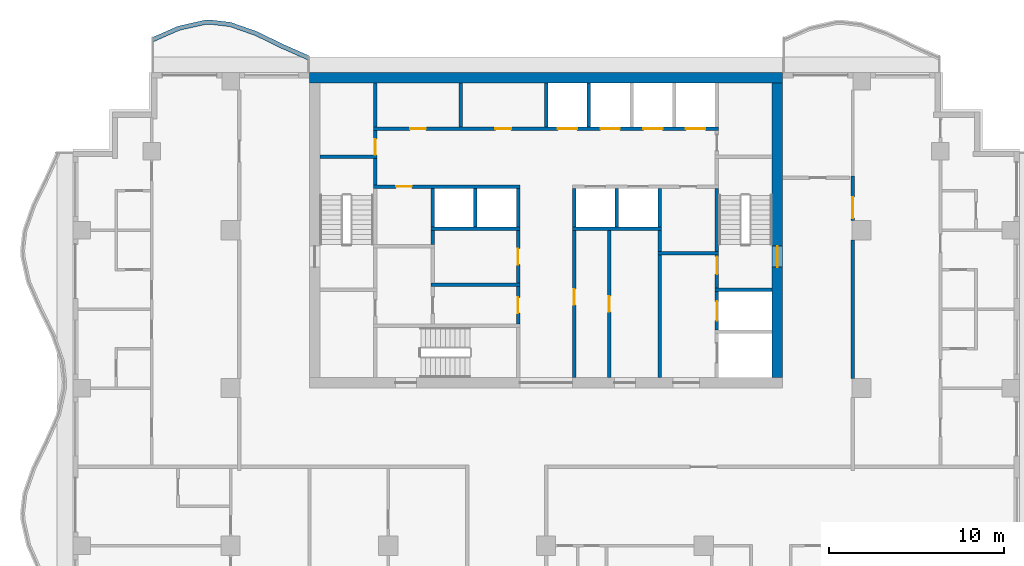
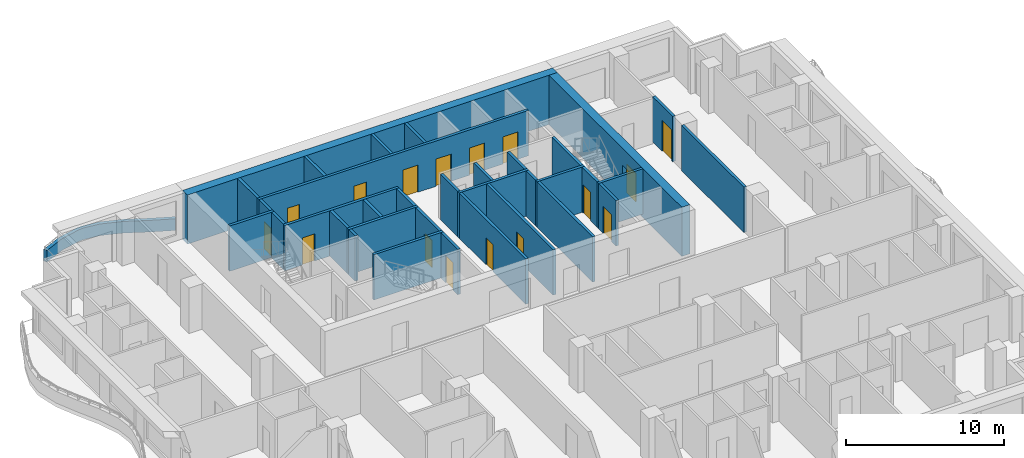
# One storey, part 6 of 12: 35 walls, 16 doors, 16 openings.
"""IFC4 building model written with IfcOpenShell, lengths in metres."""

from ifc_helpers import new_model, si_unit, direction, frame, frame_2d, origin, place, context, subcontext, project, spatial, polyline, rectangle, outline, extrude, material, layer, layer_set, type_object, element, fill, save


model = new_model("IFC4")

# Units and contexts
model_context = context("Model", 3, precision=1e-05, world=origin(), true_north=direction((0.0, 1.0)))
body_context = subcontext(model_context, "Body", "Model", "MODEL_VIEW")
ifc_project = project(units=[si_unit("LENGTHUNIT", "METRE"), si_unit("AREAUNIT", "SQUARE_METRE"), si_unit("VOLUMEUNIT", "CUBIC_METRE"), si_unit("PLANEANGLEUNIT", "RADIAN"), si_unit("MASSUNIT", "GRAM", prefix="KILO")], contexts=[model_context])

# Site, building, storey
site_placement = place(None, origin())
site = spatial("IfcSite", under=ifc_project, at=site_placement, CompositionType="ELEMENT")
building_placement = place(site_placement, origin())
building = spatial("IfcBuilding", under=site, at=building_placement, Name="Orbiselva Terraces", CompositionType="ELEMENT")
storey_placement = place(building_placement, frame((0.0, 0.0, 207.2)))
storey = spatial("IfcBuildingStorey", under=building, at=storey_placement, Name="L52", CompositionType="ELEMENT", Elevation=207.2)

# Wall, opening, door
ifc_material_1 = material(Name="Concrete C80/95", Category="concrete")
ifc_layer_1 = layer(ifc_material_1, 0.6)
ifc_layer_set_1 = layer_set([ifc_layer_1], Name="Concrete C80/95")
wall_type_1 = type_object("IfcWallType", Name="CORE WALL 600", PredefinedType="SHEAR", material=ifc_layer_set_1)
wall_1_placement = place(storey_placement, frame((13.2, 5.1, -0.3), z_axis=(0.0, 0.0, 1.0), x_axis=(0.0, 1.0, 0.0)))
wall_1 = element("IfcWall", 1, at=wall_1_placement, inside=storey, type_object=wall_type_1, Name="Core wall L52 east", PredefinedType="SHEAR", context=body_context, shape_type="SweptSolid", body=[
    extrude(rectangle(XDim=16.8, YDim=0.6, at=frame_2d((8.4, 0.0))), origin(), (0.0, 0.0, 1.0), 3.8),
])
opening_1_placement = place(wall_1_placement, frame((6.3, 0.0, 0.3)))
opening_1 = element("IfcOpeningElement", 2, at=opening_1_placement, cuts=wall_1, Name="Opening DS1200", PredefinedType="OPENING", context=body_context, shape_type="SweptSolid", body=[
    extrude(rectangle(XDim=1.2, YDim=2.2, at=frame_2d((0.6, 1.1))), frame((0.0, 0.31, 0.0), z_axis=(0.0, -1.0, 0.0), x_axis=(1.0, 0.0, 0.0)), (0.0, 0.0, 1.0), 0.62),
])
ifc_material_2 = material(Name="Steel fire door", Category="steel")
door_type_1 = type_object("IfcDoorType", Name="STAIR DOOR 1200", OperationType="NOTDEFINED", PredefinedType="DOOR", material=ifc_material_2)
door_1_placement = place(opening_1_placement, frame((1.2, 0.0, 0.0), z_axis=(0.0, 0.0, 1.0), x_axis=(-1.0, 0.0, 0.0)))
door_1 = element("IfcDoor", 3, at=door_1_placement, inside=storey, type_object=door_type_1, Name="L52 EXIT STAIR S2 door", OperationType="SINGLE_SWING_LEFT", OverallHeight=2.2, OverallWidth=1.2, PredefinedType="DOOR", context=body_context, shape_type="SweptSolid", body=[
    extrude(rectangle(XDim=1.2, YDim=2.2, at=frame_2d((0.6, 1.1))), frame((0.0, 0.025, 0.0), z_axis=(0.0, -1.0, 0.0), x_axis=(1.0, 0.0, 0.0)), (0.0, 0.0, 1.0), 0.05),
])
fill(opening_1, door_1)

# Wall
ifc_layer_2 = layer(ifc_material_1, 0.6)
ifc_layer_set_2 = layer_set([ifc_layer_2], Name="Concrete C80/95")
wall_type_2 = type_object("IfcWallType", Name="CORE WALL 600 EXTERNAL", PredefinedType="SHEAR", material=ifc_layer_set_2)
wall_2_placement = place(storey_placement, frame((13.5, 22.2, -0.3), z_axis=(0.0, 0.0, 1.0), x_axis=(-1.0, 0.0, 0.0)))
element("IfcWall", 4, at=wall_2_placement, inside=storey, type_object=wall_type_2, Name="Core wall L52 north", PredefinedType="SHEAR", context=body_context, shape_type="SweptSolid", body=[
    extrude(rectangle(XDim=27.0, YDim=0.6, at=frame_2d((13.5, 0.0))), origin(), (0.0, 0.0, 1.0), 3.8),
])

# Wall, opening, door
ifc_material_3 = material(Name="Masonry blockwork", Category="masonry")
ifc_layer_3 = layer(ifc_material_3, 0.2)
ifc_layer_set_3 = layer_set([ifc_layer_3], Name="Masonry blockwork")
wall_type_3 = type_object("IfcWallType", Name="CORE-WALL-PARTITION-200", PredefinedType="PARTITIONING", material=ifc_layer_set_3)
wall_3_placement = place(storey_placement, frame((-9.75, 17.8, 0.0), z_axis=(0.0, 0.0, 1.0), x_axis=(0.0, 1.0, 0.0)))
wall_3 = element("IfcWall", 5, at=wall_3_placement, inside=storey, type_object=wall_type_3, Name="L52 core wall 11", PredefinedType="PARTITIONING", context=body_context, shape_type="SweptSolid", body=[
    extrude(rectangle(XDim=1.4, YDim=0.2, at=frame_2d((0.7, 0.0))), origin(), (0.0, 0.0, 1.0), 3.5),
])
opening_2_placement = place(wall_3_placement, origin())
opening_2 = element("IfcOpeningElement", 6, at=opening_2_placement, cuts=wall_3, Name="Opening DR900", PredefinedType="OPENING", context=body_context, shape_type="SweptSolid", body=[
    extrude(rectangle(XDim=0.9, YDim=2.1, at=frame_2d((0.45, 1.05))), frame((0.0, 0.11, 0.0), z_axis=(0.0, -1.0, 0.0), x_axis=(1.0, 0.0, 0.0)), (0.0, 0.0, 1.0), 0.22),
])
door_type_2 = type_object("IfcDoorType", Name="ROOM DOOR 900", OperationType="NOTDEFINED", PredefinedType="DOOR", material=ifc_material_2)
door_2_placement = place(opening_2_placement, origin())
door_2 = element("IfcDoor", 7, at=door_2_placement, inside=storey, type_object=door_type_2, Name="L52 ELECTRICAL RISER ROOM door", OperationType="SINGLE_SWING_LEFT", OverallHeight=2.1, OverallWidth=0.9, PredefinedType="DOOR", context=body_context, shape_type="SweptSolid", body=[
    extrude(rectangle(XDim=0.9, YDim=2.1, at=frame_2d((0.45, 1.05))), frame((0.0, 0.025, 0.0), z_axis=(0.0, -1.0, 0.0), x_axis=(1.0, 0.0, 0.0)), (0.0, 0.0, 1.0), 0.05),
])
fill(opening_2, door_2)

# Walls
wall_4_placement = place(storey_placement, frame((-9.75, 19.4, 0.0), z_axis=(0.0, 0.0, 1.0), x_axis=(0.0, 1.0, 0.0)))
element("IfcWall", 8, at=wall_4_placement, inside=storey, type_object=wall_type_3, Name="L52 core wall 13", PredefinedType="PARTITIONING", context=body_context, shape_type="SweptSolid", body=[
    extrude(rectangle(XDim=2.5, YDim=0.2, at=frame_2d((1.25, 0.0))), origin(), (0.0, 0.0, 1.0), 3.5),
])
wall_5_placement = place(storey_placement, frame((-6.475, 12.7, 0.0), z_axis=(0.0, 0.0, 1.0), x_axis=(0.0, 1.0, 0.0)))
element("IfcWall", 9, at=wall_5_placement, inside=storey, type_object=wall_type_3, Name="L52 core wall 17", PredefinedType="PARTITIONING", context=body_context, shape_type="SweptSolid", body=[
    extrude(rectangle(XDim=0.8, YDim=0.2, at=frame_2d((0.4, 0.0))), origin(), (0.0, 0.0, 1.0), 3.5),
])
wall_6_placement = place(storey_placement, frame((-4.875, 19.4, 0.0), z_axis=(0.0, 0.0, 1.0), x_axis=(0.0, 1.0, 0.0)))
element("IfcWall", 10, at=wall_6_placement, inside=storey, type_object=wall_type_3, Name="L52 core wall 20", PredefinedType="PARTITIONING", context=body_context, shape_type="SweptSolid", body=[
    extrude(rectangle(XDim=2.5, YDim=0.2, at=frame_2d((1.25, 0.0))), origin(), (0.0, 0.0, 1.0), 3.5),
])

# Wall, opening, door
wall_7_placement = place(storey_placement, frame((-1.6, 8.15, 0.0), z_axis=(0.0, 0.0, 1.0), x_axis=(0.0, 1.0, 0.0)))
wall_7 = element("IfcWall", 11, at=wall_7_placement, inside=storey, type_object=wall_type_3, Name="L52 core wall 23", PredefinedType="PARTITIONING", context=body_context, shape_type="SweptSolid", body=[
    extrude(rectangle(XDim=2.15, YDim=0.2, at=frame_2d((1.075, 0.0))), origin(), (0.0, 0.0, 1.0), 3.5),
])
opening_3_placement = place(wall_7_placement, frame((0.625, 0.0, 0.0)))
opening_3 = element("IfcOpeningElement", 12, at=opening_3_placement, cuts=wall_7, Name="Opening DR900", PredefinedType="OPENING", context=body_context, shape_type="SweptSolid", body=[
    extrude(rectangle(XDim=0.9, YDim=2.1, at=frame_2d((0.45, 1.05))), frame((0.0, 0.11, 0.0), z_axis=(0.0, -1.0, 0.0), x_axis=(1.0, 0.0, 0.0)), (0.0, 0.0, 1.0), 0.22),
])
door_3_placement = place(opening_3_placement, origin())
door_3 = element("IfcDoor", 13, at=door_3_placement, inside=storey, type_object=door_type_2, Name="L52 SERVICE PANTRY door", OperationType="SINGLE_SWING_LEFT", OverallHeight=2.1, OverallWidth=0.9, PredefinedType="DOOR", context=body_context, shape_type="SweptSolid", body=[
    extrude(rectangle(XDim=0.9, YDim=2.1, at=frame_2d((0.45, 1.05))), frame((0.0, 0.025, 0.0), z_axis=(0.0, -1.0, 0.0), x_axis=(1.0, 0.0, 0.0)), (0.0, 0.0, 1.0), 0.05),
])
fill(opening_3, door_3)

wall_8_placement = place(storey_placement, frame((-1.6, 10.5, 0.0), z_axis=(0.0, 0.0, 1.0), x_axis=(0.0, 1.0, 0.0)))
wall_8 = element("IfcWall", 14, at=wall_8_placement, inside=storey, type_object=wall_type_3, Name="L52 core wall 24", PredefinedType="PARTITIONING", context=body_context, shape_type="SweptSolid", body=[
    extrude(rectangle(XDim=3.0, YDim=0.2, at=frame_2d((1.5, 0.0))), origin(), (0.0, 0.0, 1.0), 3.5),
])
opening_4_placement = place(wall_8_placement, frame((1.05, 0.0, 0.0)))
opening_4 = element("IfcOpeningElement", 15, at=opening_4_placement, cuts=wall_8, Name="Opening DR900", PredefinedType="OPENING", context=body_context, shape_type="SweptSolid", body=[
    extrude(rectangle(XDim=0.9, YDim=2.1, at=frame_2d((0.45, 1.05))), frame((0.0, 0.11, 0.0), z_axis=(0.0, -1.0, 0.0), x_axis=(1.0, 0.0, 0.0)), (0.0, 0.0, 1.0), 0.22),
])
door_4_placement = place(opening_4_placement, origin())
door_4 = element("IfcDoor", 16, at=door_4_placement, inside=storey, type_object=door_type_2, Name="L52 LINEN STORE door", OperationType="SINGLE_SWING_RIGHT", OverallHeight=2.1, OverallWidth=0.9, PredefinedType="DOOR", context=body_context, shape_type="SweptSolid", body=[
    extrude(rectangle(XDim=0.9, YDim=2.1, at=frame_2d((0.45, 1.05))), frame((0.0, 0.025, 0.0), z_axis=(0.0, -1.0, 0.0), x_axis=(1.0, 0.0, 0.0)), (0.0, 0.0, 1.0), 0.05),
])
fill(opening_4, door_4)

wall_9_placement = place(storey_placement, frame((3.6, 13.5, 0.0), z_axis=(0.0, 0.0, 1.0), x_axis=(0.0, -1.0, 0.0)))
wall_9 = element("IfcWall", 17, at=wall_9_placement, inside=storey, type_object=wall_type_3, Name="L52 core wall 32", PredefinedType="PARTITIONING", context=body_context, shape_type="SweptSolid", body=[
    extrude(rectangle(XDim=8.4, YDim=0.2, at=frame_2d((4.2, 0.0))), origin(), (0.0, 0.0, 1.0), 3.5),
])
opening_5_placement = place(wall_9_placement, frame((3.75, 0.0, 0.0)))
opening_5 = element("IfcOpeningElement", 18, at=opening_5_placement, cuts=wall_9, Name="Opening DR900", PredefinedType="OPENING", context=body_context, shape_type="SweptSolid", body=[
    extrude(rectangle(XDim=0.9, YDim=2.1, at=frame_2d((0.45, 1.05))), frame((0.0, 0.11, 0.0), z_axis=(0.0, -1.0, 0.0), x_axis=(1.0, 0.0, 0.0)), (0.0, 0.0, 1.0), 0.22),
])
door_5_placement = place(opening_5_placement, origin())
door_5 = element("IfcDoor", 19, at=door_5_placement, inside=storey, type_object=door_type_2, Name="L52 SERVICE ROOM door", OperationType="SINGLE_SWING_RIGHT", OverallHeight=2.1, OverallWidth=0.9, PredefinedType="DOOR", context=body_context, shape_type="SweptSolid", body=[
    extrude(rectangle(XDim=0.9, YDim=2.1, at=frame_2d((0.45, 1.05))), frame((0.0, 0.025, 0.0), z_axis=(0.0, -1.0, 0.0), x_axis=(1.0, 0.0, 0.0)), (0.0, 0.0, 1.0), 0.05),
])
fill(opening_5, door_5)

# Walls
wall_10_placement = place(storey_placement, frame((6.475, 12.3, 0.0), z_axis=(0.0, 0.0, 1.0), x_axis=(0.0, 1.0, 0.0)))
element("IfcWall", 20, at=wall_10_placement, inside=storey, type_object=wall_type_3, Name="L52 core wall 37", PredefinedType="PARTITIONING", context=body_context, shape_type="SweptSolid", body=[
    extrude(rectangle(XDim=1.2, YDim=0.2, at=frame_2d((0.6, 0.0))), origin(), (0.0, 0.0, 1.0), 3.5),
])
ifc_material_4 = material(Name="Concrete C40/50", Category="concrete")
ifc_layer_4 = layer(ifc_material_4, 0.2)
ifc_layer_set_4 = layer_set([ifc_layer_4], Name="Concrete C40/50")
wall_type_4 = type_object("IfcWallType", Name="CORE-WALL-SHAFT-200", PredefinedType="PARTITIONING", material=ifc_layer_set_4)
for number, where, z_axis, x_axis, name in (
    (21, (-6.475, 13.7, 0.0), (0.0, 0.0, 1.0), (0.0, 1.0, 0.0), "L52 core wall 19"),
    (22, (-4.0375, 13.7, 0.0), (0.0, 0.0, 1.0), (0.0, 1.0, 0.0), "L52 core wall 21"),
    (23, (-1.6, 13.7, 0.0), (0.0, 0.0, 1.0), (0.0, 1.0, 0.0), "L52 core wall 25"),
):
    element("IfcWall", number, at=place(storey_placement, frame(where, z_axis=z_axis, x_axis=x_axis)), inside=storey, type_object=wall_type_4, Name=name, PredefinedType="PARTITIONING", context=body_context, shape_type="SweptSolid", body=[
        extrude(rectangle(XDim=2.2, YDim=0.2, at=frame_2d((1.1, 0.0))), origin(), (0.0, 0.0, 1.0), 3.5),
    ])
wall_11_placement = place(storey_placement, frame((0.0, 19.4, 0.0), z_axis=(0.0, 0.0, 1.0), x_axis=(0.0, 1.0, 0.0)))
element("IfcWall", 24, at=wall_11_placement, inside=storey, type_object=wall_type_4, Name="L52 core wall 26", PredefinedType="PARTITIONING", context=body_context, shape_type="SweptSolid", body=[
    extrude(rectangle(XDim=2.5, YDim=0.2, at=frame_2d((1.25, 0.0))), origin(), (0.0, 0.0, 1.0), 3.5),
])
wall_12_placement = place(storey_placement, frame((1.6, 13.7, 0.0), z_axis=(0.0, 0.0, 1.0), x_axis=(0.0, 1.0, 0.0)))
element("IfcWall", 25, at=wall_12_placement, inside=storey, type_object=wall_type_4, Name="L52 core wall 29", PredefinedType="PARTITIONING", context=body_context, shape_type="SweptSolid", body=[
    extrude(rectangle(XDim=2.2, YDim=0.2, at=frame_2d((1.1, 0.0))), origin(), (0.0, 0.0, 1.0), 3.5),
])
wall_13_placement = place(storey_placement, frame((2.4375, 19.4, 0.0), z_axis=(0.0, 0.0, 1.0), x_axis=(0.0, 1.0, 0.0)))
element("IfcWall", 26, at=wall_13_placement, inside=storey, type_object=wall_type_4, Name="L52 core wall 31", PredefinedType="PARTITIONING", context=body_context, shape_type="SweptSolid", body=[
    extrude(rectangle(XDim=2.5, YDim=0.2, at=frame_2d((1.25, 0.0))), origin(), (0.0, 0.0, 1.0), 3.5),
])
for number, where, z_axis, x_axis, name in (
    (27, (4.0375, 13.7, 0.0), (0.0, 0.0, 1.0), (0.0, 1.0, 0.0), "L52 core wall 33"),
    (28, (6.475, 13.7, 0.0), (0.0, 0.0, 1.0), (0.0, 1.0, 0.0), "L52 core wall 38"),
):
    element("IfcWall", number, at=place(storey_placement, frame(where, z_axis=z_axis, x_axis=x_axis)), inside=storey, type_object=wall_type_4, Name=name, PredefinedType="PARTITIONING", context=body_context, shape_type="SweptSolid", body=[
        extrude(rectangle(XDim=2.2, YDim=0.2, at=frame_2d((1.1, 0.0))), origin(), (0.0, 0.0, 1.0), 3.5),
    ])
ifc_material_5 = material(Name="Concrete C60/75", Category="concrete")
ifc_layer_5 = layer(ifc_material_5, 0.2)
ifc_layer_set_5 = layer_set([ifc_layer_5], Name="Concrete C60/75")
wall_type_5 = type_object("IfcWallType", Name="CORE-WALL-SHEAR-200", PredefinedType="SHEAR", material=ifc_layer_set_5)
wall_14_placement = place(storey_placement, frame((-12.9, 17.7, 0.0), z_axis=(0.0, 0.0, 1.0), x_axis=(1.0, 0.0, 0.0)))
element("IfcWall", 29, at=wall_14_placement, inside=storey, type_object=wall_type_5, Name="L52 core wall 02", PredefinedType="SHEAR", context=body_context, shape_type="SweptSolid", body=[
    extrude(rectangle(XDim=3.25, YDim=0.2, at=frame_2d((1.625, 0.0))), origin(), (0.0, 0.0, 1.0), 3.5),
])

# Wall, opening, door
wall_15_placement = place(storey_placement, frame((-1.5, 16.0, 0.0), z_axis=(0.0, 0.0, 1.0), x_axis=(-1.0, 0.0, 0.0)))
wall_15 = element("IfcWall", 30, at=wall_15_placement, inside=storey, type_object=wall_type_5, Name="L52 core wall 09", PredefinedType="SHEAR", context=body_context, shape_type="SweptSolid", body=[
    extrude(rectangle(XDim=8.35, YDim=0.2, at=frame_2d((4.175, 0.0))), origin(), (0.0, 0.0, 1.0), 3.5),
])
opening_6_placement = place(wall_15_placement, frame((6.1625, 0.0, 0.0)))
opening_6 = element("IfcOpeningElement", 31, at=opening_6_placement, cuts=wall_15, Name="Opening DR900", PredefinedType="OPENING", context=body_context, shape_type="SweptSolid", body=[
    extrude(rectangle(XDim=0.9, YDim=2.1, at=frame_2d((0.45, 1.05))), frame((0.0, 0.11, 0.0), z_axis=(0.0, -1.0, 0.0), x_axis=(1.0, 0.0, 0.0)), (0.0, 0.0, 1.0), 0.22),
])
door_6_placement = place(opening_6_placement, origin())
door_6 = element("IfcDoor", 32, at=door_6_placement, inside=storey, type_object=door_type_2, Name="L52 IT ROOM door", OperationType="SINGLE_SWING_RIGHT", OverallHeight=2.1, OverallWidth=0.9, PredefinedType="DOOR", context=body_context, shape_type="SweptSolid", body=[
    extrude(rectangle(XDim=0.9, YDim=2.1, at=frame_2d((0.45, 1.05))), frame((0.0, 0.025, 0.0), z_axis=(0.0, -1.0, 0.0), x_axis=(1.0, 0.0, 0.0)), (0.0, 0.0, 1.0), 0.05),
])
fill(opening_6, door_6)

# Wall
wall_16_placement = place(storey_placement, frame((-9.75, 16.1, 0.0), z_axis=(0.0, 0.0, 1.0), x_axis=(0.0, 1.0, 0.0)))
element("IfcWall", 33, at=wall_16_placement, inside=storey, type_object=wall_type_5, Name="L52 core wall 10", PredefinedType="SHEAR", context=body_context, shape_type="SweptSolid", body=[
    extrude(rectangle(XDim=1.5, YDim=0.2, at=frame_2d((0.75, 0.0))), origin(), (0.0, 0.0, 1.0), 3.5),
])

# Wall, openings, doors
wall_17_placement = place(storey_placement, frame((-9.85, 19.3, 0.0), z_axis=(0.0, 0.0, 1.0), x_axis=(1.0, 0.0, 0.0)))
wall_17 = element("IfcWall", 34, at=wall_17_placement, inside=storey, type_object=wall_type_5, Name="L52 core wall 12", PredefinedType="SHEAR", context=body_context, shape_type="SweptSolid", body=[
    extrude(rectangle(XDim=19.7, YDim=0.2, at=frame_2d((9.85, 0.0))), origin(), (0.0, 0.0, 1.0), 3.5),
])
opening_7_placement = place(wall_17_placement, frame((10.51875, 0.0, 0.0)))
opening_7 = element("IfcOpeningElement", 35, at=opening_7_placement, cuts=wall_17, Name="Opening LD-HR1", PredefinedType="OPENING", context=body_context, shape_type="SweptSolid", body=[
    extrude(rectangle(XDim=1.1, YDim=2.1, at=frame_2d((0.55, 1.05))), frame((0.0, 0.11, 0.0), z_axis=(0.0, -1.0, 0.0), x_axis=(1.0, 0.0, 0.0)), (0.0, 0.0, 1.0), 0.22),
])
opening_8_placement = place(wall_17_placement, frame((12.95625, 0.0, 0.0)))
opening_8 = element("IfcOpeningElement", 36, at=opening_8_placement, cuts=wall_17, Name="Opening LD-HR2", PredefinedType="OPENING", context=body_context, shape_type="SweptSolid", body=[
    extrude(rectangle(XDim=1.1, YDim=2.1, at=frame_2d((0.55, 1.05))), frame((0.0, 0.11, 0.0), z_axis=(0.0, -1.0, 0.0), x_axis=(1.0, 0.0, 0.0)), (0.0, 0.0, 1.0), 0.22),
])
opening_9_placement = place(wall_17_placement, frame((15.39375, 0.0, 0.0)))
opening_9 = element("IfcOpeningElement", 37, at=opening_9_placement, cuts=wall_17, Name="Opening LD-HR3", PredefinedType="OPENING", context=body_context, shape_type="SweptSolid", body=[
    extrude(rectangle(XDim=1.1, YDim=2.1, at=frame_2d((0.55, 1.05))), frame((0.0, 0.11, 0.0), z_axis=(0.0, -1.0, 0.0), x_axis=(1.0, 0.0, 0.0)), (0.0, 0.0, 1.0), 0.22),
])
opening_10_placement = place(wall_17_placement, frame((17.83125, 0.0, 0.0)))
opening_10 = element("IfcOpeningElement", 38, at=opening_10_placement, cuts=wall_17, Name="Opening LD-HR4", PredefinedType="OPENING", context=body_context, shape_type="SweptSolid", body=[
    extrude(rectangle(XDim=1.1, YDim=2.1, at=frame_2d((0.55, 1.05))), frame((0.0, 0.11, 0.0), z_axis=(0.0, -1.0, 0.0), x_axis=(1.0, 0.0, 0.0)), (0.0, 0.0, 1.0), 0.22),
])
opening_11_placement = place(wall_17_placement, frame((2.0875, 0.0, 0.0)))
opening_11 = element("IfcOpeningElement", 39, at=opening_11_placement, cuts=wall_17, Name="Opening DR900", PredefinedType="OPENING", context=body_context, shape_type="SweptSolid", body=[
    extrude(rectangle(XDim=0.9, YDim=2.1, at=frame_2d((0.45, 1.05))), frame((0.0, 0.11, 0.0), z_axis=(0.0, -1.0, 0.0), x_axis=(1.0, 0.0, 0.0)), (0.0, 0.0, 1.0), 0.22),
])
opening_12_placement = place(wall_17_placement, frame((6.9625, 0.0, 0.0)))
opening_12 = element("IfcOpeningElement", 40, at=opening_12_placement, cuts=wall_17, Name="Opening DR900", PredefinedType="OPENING", context=body_context, shape_type="SweptSolid", body=[
    extrude(rectangle(XDim=0.9, YDim=2.1, at=frame_2d((0.45, 1.05))), frame((0.0, 0.11, 0.0), z_axis=(0.0, -1.0, 0.0), x_axis=(1.0, 0.0, 0.0)), (0.0, 0.0, 1.0), 0.22),
])
ifc_material_6 = material(Name="Stainless steel landing door", Category="steel")
door_type_3 = type_object("IfcDoorType", Name="LANDING DOOR 1100", OperationType="SLIDING_TO_LEFT", PredefinedType="DOOR", material=ifc_material_6)
door_7_placement = place(opening_7_placement, origin())
door_7 = element("IfcDoor", 41, at=door_7_placement, inside=storey, type_object=door_type_3, Name="L52 landing door HR1", OperationType="SLIDING_TO_RIGHT", OverallHeight=2.1, OverallWidth=1.1, PredefinedType="DOOR", context=body_context, shape_type="SweptSolid", body=[
    extrude(rectangle(XDim=1.1, YDim=2.1, at=frame_2d((0.55, 1.05))), frame((0.0, 0.025, 0.0), z_axis=(0.0, -1.0, 0.0), x_axis=(1.0, 0.0, 0.0)), (0.0, 0.0, 1.0), 0.05),
])
fill(opening_7, door_7)
door_8_placement = place(opening_8_placement, origin())
door_8 = element("IfcDoor", 42, at=door_8_placement, inside=storey, type_object=door_type_3, Name="L52 landing door HR2", OperationType="SLIDING_TO_RIGHT", OverallHeight=2.1, OverallWidth=1.1, PredefinedType="DOOR", context=body_context, shape_type="SweptSolid", body=[
    extrude(rectangle(XDim=1.1, YDim=2.1, at=frame_2d((0.55, 1.05))), frame((0.0, 0.025, 0.0), z_axis=(0.0, -1.0, 0.0), x_axis=(1.0, 0.0, 0.0)), (0.0, 0.0, 1.0), 0.05),
])
fill(opening_8, door_8)
door_9_placement = place(opening_9_placement, origin())
door_9 = element("IfcDoor", 43, at=door_9_placement, inside=storey, type_object=door_type_3, Name="L52 landing door HR3", OperationType="SLIDING_TO_RIGHT", OverallHeight=2.1, OverallWidth=1.1, PredefinedType="DOOR", context=body_context, shape_type="SweptSolid", body=[
    extrude(rectangle(XDim=1.1, YDim=2.1, at=frame_2d((0.55, 1.05))), frame((0.0, 0.025, 0.0), z_axis=(0.0, -1.0, 0.0), x_axis=(1.0, 0.0, 0.0)), (0.0, 0.0, 1.0), 0.05),
])
fill(opening_9, door_9)
door_10_placement = place(opening_10_placement, origin())
door_10 = element("IfcDoor", 44, at=door_10_placement, inside=storey, type_object=door_type_3, Name="L52 landing door HR4", OperationType="SLIDING_TO_RIGHT", OverallHeight=2.1, OverallWidth=1.1, PredefinedType="DOOR", context=body_context, shape_type="SweptSolid", body=[
    extrude(rectangle(XDim=1.1, YDim=2.1, at=frame_2d((0.55, 1.05))), frame((0.0, 0.025, 0.0), z_axis=(0.0, -1.0, 0.0), x_axis=(1.0, 0.0, 0.0)), (0.0, 0.0, 1.0), 0.05),
])
fill(opening_10, door_10)
door_11_placement = place(opening_11_placement, origin())
door_11 = element("IfcDoor", 45, at=door_11_placement, inside=storey, type_object=door_type_2, Name="L52 PANTRY door", OperationType="SINGLE_SWING_LEFT", OverallHeight=2.1, OverallWidth=0.9, PredefinedType="DOOR", context=body_context, shape_type="SweptSolid", body=[
    extrude(rectangle(XDim=0.9, YDim=2.1, at=frame_2d((0.45, 1.05))), frame((0.0, 0.025, 0.0), z_axis=(0.0, -1.0, 0.0), x_axis=(1.0, 0.0, 0.0)), (0.0, 0.0, 1.0), 0.05),
])
fill(opening_11, door_11)
door_12_placement = place(opening_12_placement, origin())
door_12 = element("IfcDoor", 46, at=door_12_placement, inside=storey, type_object=door_type_2, Name="L52 STAFF LOUNGE door", OperationType="SINGLE_SWING_LEFT", OverallHeight=2.1, OverallWidth=0.9, PredefinedType="DOOR", context=body_context, shape_type="SweptSolid", body=[
    extrude(rectangle(XDim=0.9, YDim=2.1, at=frame_2d((0.45, 1.05))), frame((0.0, 0.025, 0.0), z_axis=(0.0, -1.0, 0.0), x_axis=(1.0, 0.0, 0.0)), (0.0, 0.0, 1.0), 0.05),
])
fill(opening_12, door_12)

# Walls
for number, where, z_axis, x_axis, name in (
    (47, (-6.575, 10.4, 0.0), (0.0, 0.0, 1.0), (1.0, 0.0, 0.0), "L52 core wall 15"),
    (48, (-6.575, 13.6, 0.0), (0.0, 0.0, 1.0), (1.0, 0.0, 0.0), "L52 core wall 18"),
):
    element("IfcWall", number, at=place(storey_placement, frame(where, z_axis=z_axis, x_axis=x_axis)), inside=storey, type_object=wall_type_5, Name=name, PredefinedType="SHEAR", context=body_context, shape_type="SweptSolid", body=[
        extrude(rectangle(XDim=5.075, YDim=0.2, at=frame_2d((2.5375, 0.0))), origin(), (0.0, 0.0, 1.0), 3.5),
    ])

# Wall, opening, door
wall_18_placement = place(storey_placement, frame((1.6, 13.5, 0.0), z_axis=(0.0, 0.0, 1.0), x_axis=(0.0, -1.0, 0.0)))
wall_18 = element("IfcWall", 49, at=wall_18_placement, inside=storey, type_object=wall_type_5, Name="L52 core wall 27", PredefinedType="SHEAR", context=body_context, shape_type="SweptSolid", body=[
    extrude(rectangle(XDim=8.4, YDim=0.2, at=frame_2d((4.2, 0.0))), origin(), (0.0, 0.0, 1.0), 3.5),
])
opening_13_placement = place(wall_18_placement, frame((3.35, 0.0, 0.0)))
opening_13 = element("IfcOpeningElement", 50, at=opening_13_placement, cuts=wall_18, Name="Opening DR900", PredefinedType="OPENING", context=body_context, shape_type="SweptSolid", body=[
    extrude(rectangle(XDim=0.9, YDim=2.1, at=frame_2d((0.45, 1.05))), frame((0.0, 0.11, 0.0), z_axis=(0.0, -1.0, 0.0), x_axis=(1.0, 0.0, 0.0)), (0.0, 0.0, 1.0), 0.22),
])
door_13_placement = place(opening_13_placement, origin())
door_13 = element("IfcDoor", 51, at=door_13_placement, inside=storey, type_object=door_type_2, Name="L52 COMMS ROOM door", OperationType="SINGLE_SWING_LEFT", OverallHeight=2.1, OverallWidth=0.9, PredefinedType="DOOR", context=body_context, shape_type="SweptSolid", body=[
    extrude(rectangle(XDim=0.9, YDim=2.1, at=frame_2d((0.45, 1.05))), frame((0.0, 0.025, 0.0), z_axis=(0.0, -1.0, 0.0), x_axis=(1.0, 0.0, 0.0)), (0.0, 0.0, 1.0), 0.05),
])
fill(opening_13, door_13)

# Walls
wall_19_placement = place(storey_placement, frame((1.5, 13.6, 0.0), z_axis=(0.0, 0.0, 1.0), x_axis=(1.0, 0.0, 0.0)))
element("IfcWall", 52, at=wall_19_placement, inside=storey, type_object=wall_type_5, Name="L52 core wall 28", PredefinedType="SHEAR", context=body_context, shape_type="SweptSolid", body=[
    extrude(rectangle(XDim=5.075, YDim=0.2, at=frame_2d((2.5375, 0.0))), origin(), (0.0, 0.0, 1.0), 3.5),
])
wall_20_placement = place(storey_placement, frame((6.475, 5.1, 0.0), z_axis=(0.0, 0.0, 1.0), x_axis=(0.0, 1.0, 0.0)))
element("IfcWall", 53, at=wall_20_placement, inside=storey, type_object=wall_type_5, Name="L52 core wall 35", PredefinedType="SHEAR", context=body_context, shape_type="SweptSolid", body=[
    extrude(rectangle(XDim=7.0, YDim=0.2, at=frame_2d((3.5, 0.0))), origin(), (0.0, 0.0, 1.0), 3.5),
])
wall_21_placement = place(storey_placement, frame((6.375, 12.2, 0.0), z_axis=(0.0, 0.0, 1.0), x_axis=(1.0, 0.0, 0.0)))
element("IfcWall", 54, at=wall_21_placement, inside=storey, type_object=wall_type_5, Name="L52 core wall 36", PredefinedType="SHEAR", context=body_context, shape_type="SweptSolid", body=[
    extrude(rectangle(XDim=3.475, YDim=0.2, at=frame_2d((1.7375, 0.0))), origin(), (0.0, 0.0, 1.0), 3.5),
])

# Wall, opening, door
wall_22_placement = place(storey_placement, frame((9.75, 7.8, 0.0), z_axis=(0.0, 0.0, 1.0), x_axis=(0.0, 1.0, 0.0)))
wall_22 = element("IfcWall", 55, at=wall_22_placement, inside=storey, type_object=wall_type_5, Name="L52 core wall 42", PredefinedType="SHEAR", context=body_context, shape_type="SweptSolid", body=[
    extrude(rectangle(XDim=2.2, YDim=0.2, at=frame_2d((1.1, 0.0))), origin(), (0.0, 0.0, 1.0), 3.5),
])
opening_14_placement = place(wall_22_placement, frame((0.55, 0.0, 0.0)))
opening_14 = element("IfcOpeningElement", 56, at=opening_14_placement, cuts=wall_22, Name="Opening LD-FF2", PredefinedType="OPENING", context=body_context, shape_type="SweptSolid", body=[
    extrude(rectangle(XDim=1.1, YDim=2.1, at=frame_2d((0.55, 1.05))), frame((0.0, 0.11, 0.0), z_axis=(0.0, -1.0, 0.0), x_axis=(1.0, 0.0, 0.0)), (0.0, 0.0, 1.0), 0.22),
])
door_14_placement = place(opening_14_placement, origin())
door_14 = element("IfcDoor", 57, at=door_14_placement, inside=storey, type_object=door_type_3, Name="L52 landing door FF2", OperationType="SLIDING_TO_RIGHT", OverallHeight=2.1, OverallWidth=1.1, PredefinedType="DOOR", context=body_context, shape_type="SweptSolid", body=[
    extrude(rectangle(XDim=1.1, YDim=2.1, at=frame_2d((0.55, 1.05))), frame((0.0, 0.025, 0.0), z_axis=(0.0, -1.0, 0.0), x_axis=(1.0, 0.0, 0.0)), (0.0, 0.0, 1.0), 0.05),
])
fill(opening_14, door_14)

# Wall
wall_23_placement = place(storey_placement, frame((9.65, 10.1, 0.0), z_axis=(0.0, 0.0, 1.0), x_axis=(1.0, 0.0, 0.0)))
element("IfcWall", 58, at=wall_23_placement, inside=storey, type_object=wall_type_5, Name="L52 core wall 43", PredefinedType="SHEAR", context=body_context, shape_type="SweptSolid", body=[
    extrude(rectangle(XDim=3.25, YDim=0.2, at=frame_2d((1.625, 0.0))), origin(), (0.0, 0.0, 1.0), 3.5),
])

# Wall, opening, door
wall_24_placement = place(storey_placement, frame((9.75, 12.1, 0.0), z_axis=(0.0, 0.0, 1.0), x_axis=(0.0, -1.0, 0.0)))
wall_24 = element("IfcWall", 59, at=wall_24_placement, inside=storey, type_object=wall_type_5, Name="L52 core wall 44", PredefinedType="SHEAR", context=body_context, shape_type="SweptSolid", body=[
    extrude(rectangle(XDim=1.9, YDim=0.2, at=frame_2d((0.95, 0.0))), origin(), (0.0, 0.0, 1.0), 3.5),
])
opening_15_placement = place(wall_24_placement, frame((0.1, 0.0, 0.0)))
opening_15 = element("IfcOpeningElement", 60, at=opening_15_placement, cuts=wall_24, Name="Opening DS1000", PredefinedType="OPENING", context=body_context, shape_type="SweptSolid", body=[
    extrude(rectangle(XDim=1.0, YDim=2.2, at=frame_2d((0.5, 1.1))), frame((0.0, 0.11, 0.0), z_axis=(0.0, -1.0, 0.0), x_axis=(1.0, 0.0, 0.0)), (0.0, 0.0, 1.0), 0.22),
])
door_type_4 = type_object("IfcDoorType", Name="STAIR DOOR 1000", OperationType="NOTDEFINED", PredefinedType="DOOR", material=ifc_material_2)
door_15_placement = place(opening_15_placement, origin())
door_15 = element("IfcDoor", 61, at=door_15_placement, inside=storey, type_object=door_type_4, Name="L52 FIRE-FIGHTING LOBBY TO EXIT STAIR S2 door", OperationType="SINGLE_SWING_LEFT", OverallHeight=2.2, OverallWidth=1.0, PredefinedType="DOOR", context=body_context, shape_type="SweptSolid", body=[
    extrude(rectangle(XDim=1.0, YDim=2.2, at=frame_2d((0.5, 1.1))), frame((0.0, 0.025, 0.0), z_axis=(0.0, -1.0, 0.0), x_axis=(1.0, 0.0, 0.0)), (0.0, 0.0, 1.0), 0.05),
])
fill(opening_15, door_15)

# Walls
wall_25_placement = place(storey_placement, frame((9.75, 12.3, 0.0), z_axis=(0.0, 0.0, 1.0), x_axis=(0.0, 1.0, 0.0)))
element("IfcWall", 62, at=wall_25_placement, inside=storey, type_object=wall_type_5, Name="L52 core wall 45", PredefinedType="SHEAR", context=body_context, shape_type="SweptSolid", body=[
    extrude(rectangle(XDim=3.6, YDim=0.2, at=frame_2d((1.8, 0.0))), origin(), (0.0, 0.0, 1.0), 3.5),
])
ifc_layer_6 = layer(ifc_material_4, 0.25)
ifc_layer_set_6 = layer_set([ifc_layer_6], Name="Concrete C40/50")
wall_type_6 = type_object("IfcWallType", Name="ENV-PLANTER-250x900", PredefinedType="USERDEFINED", material=ifc_layer_set_6)
wall_26_placement = place(storey_placement, origin())
element("IfcWall", 63, at=wall_26_placement, inside=storey, type_object=wall_type_6, Name="Balcony planter L52 NW", ObjectType="PLANTER", PredefinedType="USERDEFINED", context=body_context, shape_type="SweptSolid", body=[
    extrude(outline(polyline([(-13.5, 23.451472), (-15.0, 24.112279), (-16.5, 24.844789), (-18.0, 25.369208), (-19.125, 25.5), (-19.5, 25.485226), (-21.0, 25.148528), (-22.5, 24.487721), (-22.399212, 24.258938), (-20.921492, 24.90993), (-19.467435, 25.236315), (-19.134572, 25.249429), (-18.056371, 25.124078), (-16.59644, 24.613667), (-15.105286, 23.885477), (-13.600788, 23.222689), (-13.5, 23.451472)])), origin(), (0.0, 0.0, 1.0), 0.9),
])
ifc_material_7 = material(Name="Plasterboard on steel stud partition", Category="steel")
ifc_layer_7 = layer(ifc_material_7, 0.2)
ifc_layer_set_7 = layer_set([ifc_layer_7], Name="Plasterboard on steel stud partition")
wall_type_7 = type_object("IfcWallType", Name="UNIT-ENTRANCE-WALL-200", PredefinedType="PARTITIONING", material=ifc_layer_set_7)
wall_27_placement = place(storey_placement, frame((17.5, 5.05, 0.0), z_axis=(0.0, 0.0, 1.0), x_axis=(0.0, 1.0, 0.0)))
element("IfcWall", 64, at=wall_27_placement, inside=storey, type_object=wall_type_7, Name="PARTITION L52-086", PredefinedType="PARTITIONING", context=body_context, shape_type="SweptSolid", body=[
    extrude(rectangle(XDim=7.9, YDim=0.2, at=frame_2d((3.95, 0.0))), origin(), (0.0, 0.0, 1.0), 3.5),
])

# Wall, opening, door
wall_28_placement = place(storey_placement, frame((17.5, 16.6, 0.0), z_axis=(0.0, 0.0, 1.0), x_axis=(0.0, -1.0, 0.0)))
wall_28 = element("IfcWall", 65, at=wall_28_placement, inside=storey, type_object=wall_type_7, Name="PARTITION L52-087", PredefinedType="PARTITIONING", context=body_context, shape_type="SweptSolid", body=[
    extrude(rectangle(XDim=2.55, YDim=0.2, at=frame_2d((1.275, 0.0))), origin(), (0.0, 0.0, 1.0), 3.5),
])
opening_16_placement = place(wall_28_placement, frame((1.2, 0.0, 0.0)))
opening_16 = element("IfcOpeningElement", 66, at=opening_16_placement, cuts=wall_28, Name="Opening Z4-C-10", PredefinedType="OPENING", context=body_context, shape_type="SweptSolid", body=[
    extrude(rectangle(XDim=1.2, YDim=2.4, at=frame_2d((0.6, 1.2))), frame((0.0, 0.11, 0.0), z_axis=(0.0, -1.0, 0.0), x_axis=(1.0, 0.0, 0.0)), (0.0, 0.0, 1.0), 0.22),
])
ifc_material_8 = material(Name="Painted timber door leaf", Category="wood")
door_type_5 = type_object("IfcDoorType", Name="ENTRANCE DOOR 1200", OperationType="NOTDEFINED", PredefinedType="DOOR", material=ifc_material_8)
door_16_placement = place(opening_16_placement, origin())
door_16 = element("IfcDoor", 67, at=door_16_placement, inside=storey, type_object=door_type_5, Name="Z4-C-10", OperationType="SINGLE_SWING_RIGHT", OverallHeight=2.4, OverallWidth=1.2, PredefinedType="DOOR", context=body_context, shape_type="SweptSolid", body=[
    extrude(rectangle(XDim=1.2, YDim=2.4, at=frame_2d((0.6, 1.2))), frame((0.0, 0.025, 0.0), z_axis=(0.0, -1.0, 0.0), x_axis=(1.0, 0.0, 0.0)), (0.0, 0.0, 1.0), 0.05),
])
fill(opening_16, door_16)

save(model, "model.ifc")
